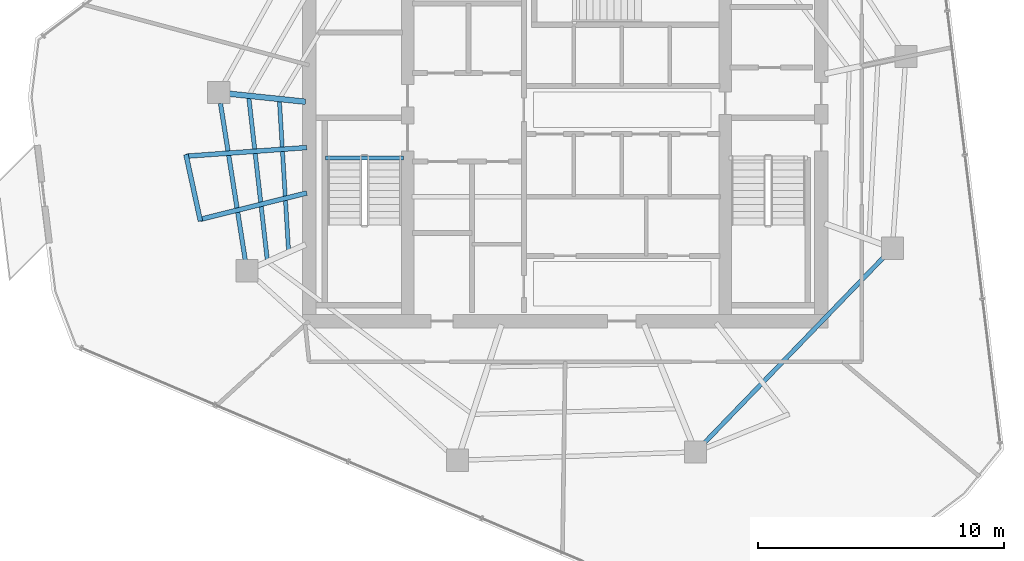
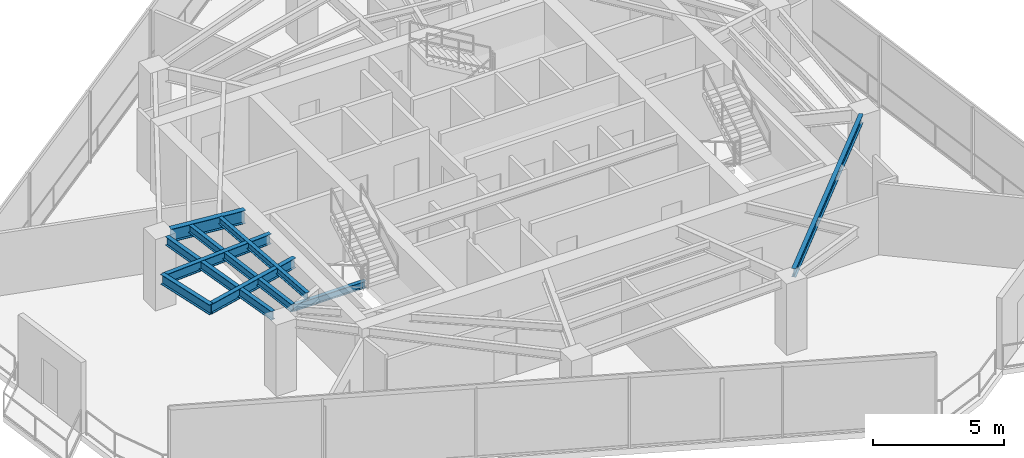
# One storey, part 4 of 18: 9 beams.
"""IFC4 building model written with IfcOpenShell, lengths in metres."""

from ifc_helpers import new_model, si_unit, direction, frame, origin, origin_2d, place, context, subcontext, project, spatial, i_section, extrude, material, material_profile, profile_set, type_object, element, save


model = new_model("IFC4")

# Units and contexts
model_context = context("Model", 3, precision=1e-05, world=origin(), true_north=direction((0.0, 1.0)))
body_context = subcontext(model_context, "Body", "Model", "MODEL_VIEW")
ifc_project = project(units=[si_unit("LENGTHUNIT", "METRE"), si_unit("AREAUNIT", "SQUARE_METRE"), si_unit("VOLUMEUNIT", "CUBIC_METRE"), si_unit("PLANEANGLEUNIT", "RADIAN"), si_unit("MASSUNIT", "GRAM", prefix="KILO")], contexts=[model_context])

# Site, building, storey
site_placement = place(None, origin())
site = spatial("IfcSite", under=ifc_project, at=site_placement, CompositionType="ELEMENT")
building_placement = place(site_placement, origin())
building = spatial("IfcBuilding", under=site, at=building_placement, Name="Qarnah Convention Tower", CompositionType="ELEMENT")
storey_placement = place(building_placement, frame((0.0, 0.0, 205.800048828125)))
storey = spatial("IfcBuildingStorey", under=building, at=storey_placement, Name="L55", CompositionType="ELEMENT", Elevation=205.800048828125)

# Beams
ifc_material = material(Name="Structural steel S355JR", Category="steel")
ifc_material_profile_1 = material_profile(ifc_material, i_section(OverallWidth=0.19189453125, OverallDepth=0.464111328125, WebThickness=0.010986328125, FlangeThickness=0.01806640625, at=origin_2d()), Name="W460X89")
ifc_profile_set_1 = profile_set([ifc_material_profile_1], Name="Structural steel S355JR")
beam_type_1 = type_object("IfcBeamType", Name="BM-CANT-W460A", PredefinedType="BEAM", material=ifc_profile_set_1)
beam_1_placement = place(storey_placement, frame((26.702880859375, 23.802001953125, 3.087890625), z_axis=(-0.970718465503, -0.240220025669, 0.0), x_axis=(0.240220025669, -0.970718465503, 0.0)))
element("IfcBeam", 1, at=beam_1_placement, inside=storey, type_object=beam_type_1, Name="L55 beam BM-L55-CNT-02-1", PredefinedType="BEAM", context=body_context, shape_type="SweptSolid", body=[
    extrude(i_section(OverallWidth=0.19189453125, OverallDepth=0.464111328125, WebThickness=0.010986328125, FlangeThickness=0.01806640625, at=origin_2d()), origin(), (0.0, 0.0, 1.0), 4.466796875),
])
beam_2_placement = place(storey_placement, frame((26.699951171875, 25.64794921875, 3.087890625), z_axis=(-0.997436151804, -0.071562022574, 0.0), x_axis=(0.071562022574, -0.997436151804, 0.0)))
element("IfcBeam", 2, at=beam_2_placement, inside=storey, type_object=beam_type_1, Name="L55 beam BM-L55-CNT-02-2", PredefinedType="BEAM", context=body_context, shape_type="SweptSolid", body=[
    extrude(i_section(OverallWidth=0.19189453125, OverallDepth=0.464111328125, WebThickness=0.010986328125, FlangeThickness=0.01806640625, at=origin_2d()), origin(), (0.0, 0.0, 1.0), 4.90234375),
])
beam_3_placement = place(storey_placement, frame((22.382080078125, 22.660888671875, 3.087890625), z_axis=(-0.212191546233, 0.977228094002, 0.0), x_axis=(-0.977228094002, -0.212191546233, 0.0)))
element("IfcBeam", 3, at=beam_3_placement, inside=storey, type_object=beam_type_1, Name="L55 spandrel BM-L55-CTIE-02", PredefinedType="SPANDREL", context=body_context, shape_type="SweptSolid", body=[
    extrude(i_section(OverallWidth=0.19189453125, OverallDepth=0.464111328125, WebThickness=0.010986328125, FlangeThickness=0.01806640625, at=origin_2d()), origin(), (0.0, 0.0, 1.0), 2.76708984375),
])
ifc_material_profile_2 = material_profile(ifc_material, i_section(OverallWidth=0.166015625, OverallDepth=0.31201171875, WebThickness=0.007080078125, FlangeThickness=0.010986328125, at=origin_2d()), Name="W310X45")
ifc_profile_set_2 = profile_set([ifc_material_profile_2], Name="Structural steel S355JR")
beam_type_2 = type_object("IfcBeamType", Name="BM-JST-W310", PredefinedType="JOIST", material=ifc_profile_set_2)
beam_4_placement = place(storey_placement, frame((27.4599609375, 25.217041015625, -0.156005859375), z_axis=(1.0, 0.0, 0.0), x_axis=(0.0, 1.0, 0.0)))
element("IfcBeam", 4, at=beam_4_placement, inside=storey, type_object=beam_type_2, Name="L55 stair landing trimmer beam BM-L55-ST1-TRM", PredefinedType="BEAM", context=body_context, shape_type="SweptSolid", body=[
    extrude(i_section(OverallWidth=0.166015625, OverallDepth=0.31201171875, WebThickness=0.007080078125, FlangeThickness=0.010986328125, at=origin_2d()), origin(), (0.0, 0.0, 1.0), 3.179931640625),
])
beam_5_placement = place(storey_placement, frame((25.593017578125, 27.530029296875, 3.1640625), z_axis=(0.060791013083, -0.998150516069, 0.0), x_axis=(0.998150516069, 0.060791013083, 0.0)))
element("IfcBeam", 5, at=beam_5_placement, inside=storey, type_object=beam_type_2, Name="L55 joist BM-L55-IJST-05", PredefinedType="JOIST", context=body_context, shape_type="SweptSolid", body=[
    extrude(i_section(OverallWidth=0.166015625, OverallDepth=0.31201171875, WebThickness=0.007080078125, FlangeThickness=0.010986328125, at=origin_2d()), origin(), (0.0, 0.0, 1.0), 6.05224609375),
])
ifc_material_profile_3 = material_profile(ifc_material, i_section(OverallWidth=0.172119140625, OverallDepth=0.35595703125, WebThickness=0.007080078125, FlangeThickness=0.011962890625, at=origin_2d()), Name="W360X51")
ifc_profile_set_3 = profile_set([ifc_material_profile_3], Name="Structural steel S355JR")
beam_type_3 = type_object("IfcBeamType", Name="BM-JST-W360", PredefinedType="JOIST", material=ifc_profile_set_3)
beam_6_placement = place(storey_placement, frame((24.35009765625, 27.6630859375, 3.141845703125), z_axis=(0.113147043355, -0.993578253878, 0.0), x_axis=(0.993578253878, 0.113147043355, 0.0)))
element("IfcBeam", 6, at=beam_6_placement, inside=storey, type_object=beam_type_3, Name="L55 joist BM-L55-SJST-05", PredefinedType="JOIST", context=body_context, shape_type="SweptSolid", body=[
    extrude(i_section(OverallWidth=0.172119140625, OverallDepth=0.35595703125, WebThickness=0.007080078125, FlangeThickness=0.011962890625, at=origin_2d()), origin(), (0.0, 0.0, 1.0), 6.6005859375),
])
ifc_material_profile_4 = material_profile(ifc_material, i_section(OverallWidth=0.22802734375, OverallDepth=0.60791015625, WebThickness=0.010986328125, FlangeThickness=0.01708984375, at=origin_2d()), Name="W610X113")
ifc_profile_set_4 = profile_set([ifc_material_profile_4], Name="Structural steel S355JR")
beam_type_4 = type_object("IfcBeamType", Name="BM-RAD-W610B", PredefinedType="BEAM", material=ifc_profile_set_4)
beam_7_placement = place(storey_placement, frame((26.65087890625, 27.509033203125, 3.015869140625), z_axis=(-0.99453335923, 0.104419334317, 0.0), x_axis=(-0.104419334317, -0.99453335923, 0.0)))
element("IfcBeam", 7, at=beam_7_placement, inside=storey, type_object=beam_type_4, Name="L55 beam BM-L55-RAD-05", PredefinedType="BEAM", context=body_context, shape_type="SweptSolid", body=[
    extrude(i_section(OverallWidth=0.22802734375, OverallDepth=0.60791015625, WebThickness=0.010986328125, FlangeThickness=0.01708984375, at=origin_2d()), origin(), (0.0, 0.0, 1.0), 3.112060546875),
])
ifc_material_profile_5 = material_profile(ifc_material, i_section(OverallWidth=0.179931640625, OverallDepth=0.39990234375, WebThickness=0.009033203125, FlangeThickness=0.013916015625, at=origin_2d()), Name="IPE400")
ifc_profile_set_5 = profile_set([ifc_material_profile_5], Name="Structural steel S355JR")
beam_type_5 = type_object("IfcBeamType", Name="BM-SPN-IPE400", PredefinedType="SPANDREL", material=ifc_profile_set_5)
beam_8_placement = place(storey_placement, frame((23.197021484375, 27.444091796875, 3.119873046875), z_axis=(0.156301127146, -0.987709450017, 0.0), x_axis=(0.987709450017, 0.156301127146, 0.0)))
element("IfcBeam", 8, at=beam_8_placement, inside=storey, type_object=beam_type_5, Name="L55 spandrel BM-L55-SPN-05", PredefinedType="SPANDREL", context=body_context, shape_type="SweptSolid", body=[
    extrude(i_section(OverallWidth=0.179931640625, OverallDepth=0.39990234375, WebThickness=0.009033203125, FlangeThickness=0.013916015625, at=origin_2d()), origin(), (0.0, 0.0, 1.0), 6.443115234375),
])
beam_9_placement = place(storey_placement, frame((42.806884765625, 13.596923828125, 3.119873046875), z_axis=(0.694676898282, 0.719321907767, 0.0), x_axis=(-0.719321907767, 0.694676898282, 0.0)))
element("IfcBeam", 9, at=beam_9_placement, inside=storey, type_object=beam_type_5, Name="L55 spandrel BM-L55-SPN-08", PredefinedType="SPANDREL", context=body_context, shape_type="SweptSolid", body=[
    extrude(i_section(OverallWidth=0.179931640625, OverallDepth=0.39990234375, WebThickness=0.009033203125, FlangeThickness=0.013916015625, at=origin_2d()), origin(), (0.0, 0.0, 1.0), 10.62939453125),
])

save(model, "model.ifc")
